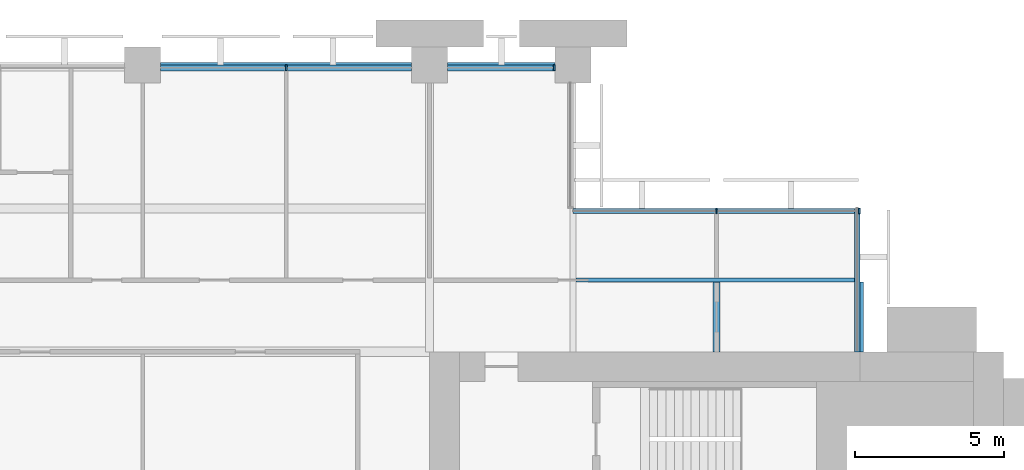
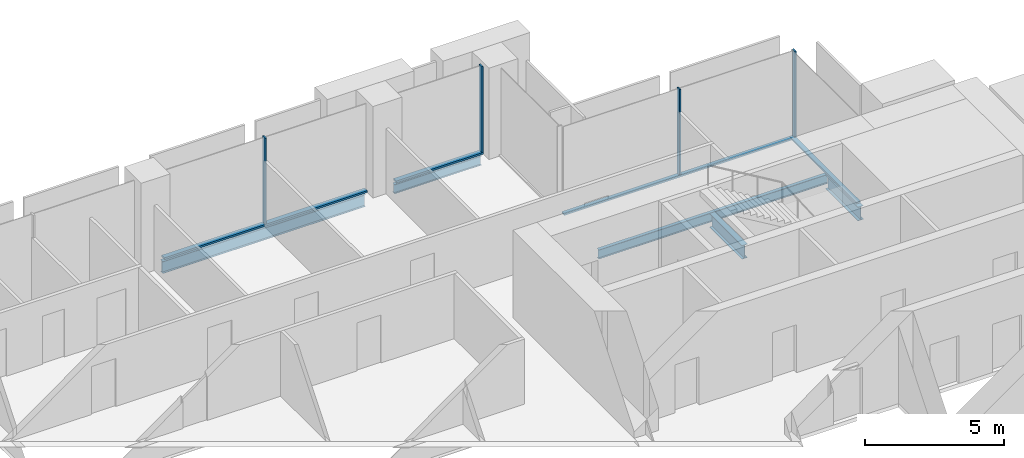
# One storey, part 7 of 14: 8 members, 5 beams, 3 elements without a shape of their own.
"""IFC4 building model written with IfcOpenShell, lengths in metres."""

import ifcopenshell
import ifcopenshell.guid

model = None  # the IFC model being written
_history = None  # IfcOwnerHistory: only IFC2X3 demands one
_inside = {}  # id of a spatial element -> (the spatial element, [elements in it])
_under = {}  # id of a project, library or spatial element -> (it, [spatial elements below it])
_declared = {}  # id of a project -> (the project, [libraries it declares])
_typed = {}  # id of a type object -> (the type object, [elements of that type])
_made_of = {}  # id of a material, layer set ... -> (it, [elements and type objects made of it])


def new_model(schema):
    """Start an empty IFC model of exactly this schema.

    Asked for "IFC4X3", IfcOpenShell would pick the latest addendum, in which some entities
    have other attributes; the version numbers below select the first issue.
    IFC2X3 requires an IfcOwnerHistory on every rooted entity: one is made here for all.
    """
    global model, _history
    if schema == "IFC4X3":
        model = ifcopenshell.file(schema_version=(4, 3, 0, 0))
    else:
        model = ifcopenshell.file(schema=schema)
    _inside.clear()
    _under.clear()
    _declared.clear()
    _typed.clear()
    _made_of.clear()
    _history = None
    if model.schema == "IFC2X3":
        org = make("IfcOrganization", Name="unknown")
        user = make(
            "IfcPersonAndOrganization",
            ThePerson=make("IfcPerson", FamilyName="unknown"),
            TheOrganization=org,
        )
        app = make(
            "IfcApplication",
            ApplicationDeveloper=org,
            Version="unknown",
            ApplicationFullName="unknown",
            ApplicationIdentifier="unknown",
        )
        _history = make(
            "IfcOwnerHistory",
            OwningUser=user,
            OwningApplication=app,
            ChangeAction="ADDED",
            CreationDate=0,
        )
    return model


def make(cls, **values):
    """One entity of the class cls with the attributes given. An attribute that is None is left unset."""
    return model.create_entity(
        cls, **{name: value for name, value in values.items() if value is not None}
    )


def rooted(cls, **values):
    """An entity with a GlobalId (a new one), such as an element, a storey or a relation."""
    return make(cls, GlobalId=ifcopenshell.guid.new(), OwnerHistory=_history, **values)


def si_unit(unit_type, name, prefix=None):
    """IfcSIUnit, for example si_unit("LENGTHUNIT", "METRE", prefix="MILLI")."""
    return make("IfcSIUnit", UnitType=unit_type, Prefix=prefix, Name=name)


def assignment(units):
    """IfcUnitAssignment: the units of a project."""
    return None if units is None else make("IfcUnitAssignment", Units=units)


def point(xyz):
    """IfcCartesianPoint."""
    return None if xyz is None else make("IfcCartesianPoint", Coordinates=xyz)


def direction(xyz):
    """IfcDirection."""
    return None if xyz is None else make("IfcDirection", DirectionRatios=xyz)


def frame(location, z_axis=None, x_axis=None):
    """IfcAxis2Placement3D, a coordinate frame: its origin and axes. An axis left out is left unset."""
    return make(
        "IfcAxis2Placement3D",
        Location=point(location),
        Axis=direction(z_axis),
        RefDirection=direction(x_axis),
    )


def frame_2d(location, x_axis=None):
    """IfcAxis2Placement2D, a coordinate frame in the plane: its origin and x axis."""
    return make(
        "IfcAxis2Placement2D", Location=point(location), RefDirection=direction(x_axis)
    )


def origin():
    """The frame at (0, 0, 0) with its axes left unset."""
    return frame((0.0, 0.0, 0.0))


def origin_2d():
    """The frame at (0, 0) in the plane with its x axis left unset."""
    return frame_2d((0.0, 0.0))


def place(relative_to, where):
    """IfcLocalPlacement: puts the frame where relative to a parent placement (None: the world)."""
    return make(
        "IfcLocalPlacement", PlacementRelTo=relative_to, RelativePlacement=where
    )


def context(
    kind, dimensions, precision=None, world=None, true_north=None, identifier=None
):
    """IfcGeometricRepresentationContext, for example the 3D "Model" context."""
    return make(
        "IfcGeometricRepresentationContext",
        ContextIdentifier=identifier,
        ContextType=kind,
        CoordinateSpaceDimension=dimensions,
        Precision=precision,
        WorldCoordinateSystem=world,
        TrueNorth=true_north,
    )


def subcontext(parent, identifier, kind, view, scale=None):
    """IfcGeometricRepresentationSubContext, for example "Body" below "Model"."""
    return make(
        "IfcGeometricRepresentationSubContext",
        ContextIdentifier=identifier,
        ContextType=kind,
        ParentContext=parent,
        TargetScale=scale,
        TargetView=view,
    )


def project(units=None, contexts=None):
    """IfcProject with its units and contexts."""
    return rooted(
        "IfcProject",
        Name="project",
        RepresentationContexts=contexts,
        UnitsInContext=assignment(units),
    )


def spatial(cls, under=None, at=None, **own):
    """A site, building, storey or space (cls), placed at a placement, below another one or the project."""
    s = rooted(cls, ObjectPlacement=at, **own)
    if under is not None:
        _under.setdefault(under.id(), (under, []))[1].append(s)
    return s


def profile(cls, at=None, kind="AREA", **sizes):
    """A parametric profile (cls). Its sizes go by their IFC names, for example OverallWidth=200.0."""
    return make(cls, ProfileType=kind, Position=at, **sizes)


def rectangle(**sizes):
    """IfcRectangleProfileDef."""
    return profile("IfcRectangleProfileDef", **sizes)


def i_section(**sizes):
    """IfcIShapeProfileDef."""
    return profile("IfcIShapeProfileDef", **sizes)


def extrude(swept, where, along, depth):
    """IfcExtrudedAreaSolid: the profile swept, set in the frame where, extruded along a direction by depth."""
    return make(
        "IfcExtrudedAreaSolid",
        SweptArea=swept,
        Position=where,
        ExtrudedDirection=direction(along),
        Depth=depth,
    )


def shape(context_of_items, identifier, shape_type, items):
    """IfcShapeRepresentation: the items that make up one representation, for example the "Body"."""
    return make(
        "IfcShapeRepresentation",
        ContextOfItems=context_of_items,
        RepresentationIdentifier=identifier,
        RepresentationType=shape_type,
        Items=items,
    )


def material(Name=None, Category=None):
    """IfcMaterial."""
    return make("IfcMaterial", Name=Name, Category=Category)


def material_profile(
    of_material, cross_section, Name=None, Category=None, Priority=None
):
    """IfcMaterialProfile: a cross section and its material."""
    return make(
        "IfcMaterialProfile",
        Name=Name,
        Material=of_material,
        Profile=cross_section,
        Priority=Priority,
        Category=Category,
    )


def profile_set(profiles, Name=None, composite=None):
    """IfcMaterialProfileSet."""
    return make(
        "IfcMaterialProfileSet",
        Name=Name,
        MaterialProfiles=profiles,
        CompositeProfile=composite,
    )


def made_of(thing, what):
    """Note that an element or type object is made of a material, layer set ...; save() writes the relation."""
    if what is not None:
        _made_of.setdefault(what.id(), (what, []))[1].append(thing)
    return thing


def type_object(cls, material=None, **own):
    """A type object (cls), such as IfcWallType, which elements share."""
    return made_of(rooted(cls, **own), material)


def element(
    cls,
    number,
    at=None,
    inside=None,
    cuts=None,
    type_object=None,
    material=None,
    context=None,
    identifier="Body",
    shape_type=None,
    held_by="IfcProductDefinitionShape",
    body=None,
    shapes=None,
    **own,
):
    """One element of the class cls, such as IfcWall. Its Tag is "e" and its number.

    at: its placement. inside: the storey or other place that contains it. cuts: it is an
    opening in that element (IfcRelVoidsElement). A single representation is given by context,
    identifier, shape_type and body (its items); several are given by shapes. held_by: the class
    of the entity that holds the representations. save() writes the other relations.
    """
    e = rooted(cls, Tag="e%d" % number, ObjectPlacement=at, **own)
    if body is not None:
        shapes = [shape(context, identifier, shape_type, body)]
    if shapes is not None:
        e.Representation = make(held_by, Representations=shapes)
    if inside is not None:
        _inside.setdefault(inside.id(), (inside, []))[1].append(e)
    if cuts is not None:
        rooted(
            "IfcRelVoidsElement", RelatingBuildingElement=cuts, RelatedOpeningElement=e
        )
    if type_object is not None:
        _typed.setdefault(type_object.id(), (type_object, []))[1].append(e)
    return made_of(e, material)


def aggregate(whole, parts):
    """IfcRelAggregates: a whole, such as a stair, and the parts it consists of."""
    return rooted("IfcRelAggregates", RelatingObject=whole, RelatedObjects=parts)


def save(model, path):
    """Write the relations noted so far, then the file.

    IfcRelAggregates (storeys below a building ...), IfcRelContainedInSpatialStructure (elements
    in a storey), IfcRelDefinesByType, IfcRelAssociatesMaterial and IfcRelDeclares: one each for
    every whole, place, type object, material and project.
    """
    for whole, parts in _under.values():
        aggregate(whole, parts)
    for where, things in _inside.values():
        rooted(
            "IfcRelContainedInSpatialStructure",
            RelatedElements=things,
            RelatingStructure=where,
        )
    for kind, things in _typed.values():
        rooted("IfcRelDefinesByType", RelatedObjects=things, RelatingType=kind)
    for what, things in _made_of.values():
        rooted("IfcRelAssociatesMaterial", RelatedObjects=things, RelatingMaterial=what)
    for by, libraries in _declared.values():
        rooted("IfcRelDeclares", RelatingContext=by, RelatedDefinitions=libraries)
    model.write(path)


model = new_model("IFC4")

# Units and contexts
model_context = context("Model", 3, precision=1e-05, world=origin(), true_north=direction((0.0, 1.0)))
body_context = subcontext(model_context, "Body", "Model", "MODEL_VIEW")
ifc_project = project(units=[si_unit("LENGTHUNIT", "METRE"), si_unit("AREAUNIT", "SQUARE_METRE"), si_unit("VOLUMEUNIT", "CUBIC_METRE"), si_unit("PLANEANGLEUNIT", "RADIAN"), si_unit("MASSUNIT", "GRAM", prefix="KILO")], contexts=[model_context])

# Site, building, storey
site_placement = place(None, origin())
site = spatial("IfcSite", under=ifc_project, at=site_placement, CompositionType="ELEMENT")
building_placement = place(site_placement, origin())
building = spatial("IfcBuilding", under=site, at=building_placement, Name="Baori Bourse Tower", CompositionType="ELEMENT")
storey_placement = place(building_placement, frame((0.0, 0.0, 136.10009765625)))
storey = spatial("IfcBuildingStorey", under=building, at=storey_placement, Name="L29", CompositionType="ELEMENT", Elevation=136.10009765625)

# Curtain wall, members
ifc_material_1 = material(Name="Pale anodised aluminium", Category="aluminium")
curtain_wall_type_1 = type_object("IfcCurtainWallType", Name="CW1 Curtain wall", PredefinedType="NOTDEFINED", material=ifc_material_1)
curtain_wall_1_placement = place(storey_placement, origin())
curtain_wall_1 = element("IfcCurtainWall", 1, at=curtain_wall_1_placement, inside=storey, type_object=curtain_wall_type_1, Name="Curtain wall CW1 L29 4", PredefinedType="NOTDEFINED")
ifc_material_2 = material(Name="Pale anodised aluminium", Category="aluminium")
ifc_material_profile_1 = material_profile(ifc_material_2, rectangle(XDim=0.199951171875, YDim=0.06005859375, at=origin_2d()), Name="Mullion 60x200")
ifc_profile_set_1 = profile_set([ifc_material_profile_1], Name="Pale anodised aluminium")
member_type_1 = type_object("IfcMemberType", Name="CW1 Curtain wall mullion", PredefinedType="MULLION", material=ifc_profile_set_1)
member_1_placement = place(storey_placement, frame((42.570068359375, 47.89990234375, 0.079833984375), z_axis=(0.0, 0.0, 1.0), x_axis=(0.0, -1.0, 0.0)))
member_1 = element("IfcMember", 2, at=member_1_placement, type_object=member_type_1, Name="Curtain wall CW1 mullion", PredefinedType="MULLION", context=body_context, shape_type="SweptSolid", body=[
    extrude(rectangle(XDim=0.199951171875, YDim=0.06005859375, at=origin_2d()), origin(), (0.0, 0.0, 1.0), 3.760009765625),
])
member_2_placement = place(storey_placement, frame((33.60009765625, 47.89990234375, 0.079833984375), z_axis=(0.0, 0.0, 1.0), x_axis=(0.0, -1.0, 0.0)))
member_2 = element("IfcMember", 3, at=member_2_placement, type_object=member_type_1, Name="Curtain wall CW1 mullion", PredefinedType="MULLION", context=body_context, shape_type="SweptSolid", body=[
    extrude(rectangle(XDim=0.199951171875, YDim=0.06005859375, at=origin_2d()), origin(), (0.0, 0.0, 1.0), 3.760009765625),
])
ifc_material_3 = material(Name="Pale anodised aluminium", Category="aluminium")
ifc_material_profile_2 = material_profile(ifc_material_3, rectangle(XDim=0.199951171875, YDim=0.080078125, at=origin_2d()), Name="Transom 80x200")
ifc_profile_set_2 = profile_set([ifc_material_profile_2], Name="Pale anodised aluminium")
member_type_2 = type_object("IfcMemberType", Name="CW1 Curtain wall transom", PredefinedType="USERDEFINED", material=ifc_profile_set_2)
member_3_placement = place(storey_placement, frame((42.60009765625, 47.89990234375, 0.039794921875), z_axis=(-1.0, 0.0, 0.0), x_axis=(0.0, -1.0, 0.0)))
member_3 = element("IfcMember", 4, at=member_3_placement, type_object=member_type_2, Name="Curtain wall CW1 sill rail", ObjectType="TRANSOM", PredefinedType="USERDEFINED", context=body_context, shape_type="SweptSolid", body=[
    extrude(rectangle(XDim=0.199951171875, YDim=0.080078125, at=origin_2d()), origin(), (0.0, 0.0, 1.0), 3.60009765625),
])
member_4_placement = place(storey_placement, frame((37.800048828125, 47.89990234375, 0.039794921875), z_axis=(-1.0, 0.0, 0.0), x_axis=(0.0, -1.0, 0.0)))
member_4 = element("IfcMember", 5, at=member_4_placement, type_object=member_type_2, Name="Curtain wall CW1 sill rail", ObjectType="TRANSOM", PredefinedType="USERDEFINED", context=body_context, shape_type="SweptSolid", body=[
    extrude(rectangle(XDim=0.199951171875, YDim=0.080078125, at=origin_2d()), origin(), (0.0, 0.0, 1.0), 8.400146484375),
])
aggregate(curtain_wall_1, [member_3, member_1, member_4, member_2])

ifc_material_4 = material(Name="Pale anodised aluminium", Category="aluminium")
curtain_wall_type_2 = type_object("IfcCurtainWallType", Name="CW2 Curtain wall", PredefinedType="NOTDEFINED", material=ifc_material_4)
curtain_wall_2_placement = place(storey_placement, origin())
curtain_wall_2 = element("IfcCurtainWall", 6, at=curtain_wall_2_placement, inside=storey, type_object=curtain_wall_type_2, Name="Curtain wall CW2 L29 2", PredefinedType="NOTDEFINED")
ifc_material_5 = material(Name="Pale anodised aluminium", Category="aluminium")
ifc_material_profile_3 = material_profile(ifc_material_5, rectangle(XDim=0.179931640625, YDim=0.054931640625, at=origin_2d()), Name="Mullion 55x180")
ifc_profile_set_3 = profile_set([ifc_material_profile_3], Name="Pale anodised aluminium")
member_type_3 = type_object("IfcMemberType", Name="CW2 Curtain wall mullion", PredefinedType="MULLION", material=ifc_profile_set_3)
member_5_placement = place(storey_placement, frame((52.7724609375, 43.110107421875, 0.06982421875), z_axis=(0.0, 0.0, 1.0), x_axis=(0.0, -1.0, 0.0)))
member_5 = element("IfcMember", 7, at=member_5_placement, type_object=member_type_3, Name="Curtain wall CW2 mullion", PredefinedType="MULLION", context=body_context, shape_type="SweptSolid", body=[
    extrude(rectangle(XDim=0.179931640625, YDim=0.054931640625, at=origin_2d()), origin(), (0.0, 0.0, 1.0), 3.77001953125),
])
member_6_placement = place(storey_placement, frame((48.0, 43.110107421875, 0.06982421875), z_axis=(0.0, 0.0, 1.0), x_axis=(0.0, -1.0, 0.0)))
member_6 = element("IfcMember", 8, at=member_6_placement, type_object=member_type_3, Name="Curtain wall CW2 mullion", PredefinedType="MULLION", context=body_context, shape_type="SweptSolid", body=[
    extrude(rectangle(XDim=0.179931640625, YDim=0.054931640625, at=origin_2d()), origin(), (0.0, 0.0, 1.0), 3.77001953125),
])

# Curtain wall, member
curtain_wall_3_placement = place(storey_placement, origin())
curtain_wall_3 = element("IfcCurtainWall", 9, at=curtain_wall_3_placement, inside=storey, type_object=curtain_wall_type_2, Name="Curtain wall CW2 L29 1", PredefinedType="NOTDEFINED")
ifc_material_6 = material(Name="Pale anodised aluminium", Category="aluminium")
ifc_material_profile_4 = material_profile(ifc_material_6, rectangle(XDim=0.179931640625, YDim=0.070068359375, at=origin_2d()), Name="Transom 70x180")
ifc_profile_set_4 = profile_set([ifc_material_profile_4], Name="Pale anodised aluminium")
member_type_4 = type_object("IfcMemberType", Name="CW2 Curtain wall transom", PredefinedType="USERDEFINED", material=ifc_profile_set_4)
member_7_placement = place(storey_placement, frame((52.7099609375, 38.39990234375, 0.034912109375), z_axis=(0.0, 1.0, 0.0), x_axis=(-1.0, 0.0, 0.0)))
member_7 = element("IfcMember", 10, at=member_7_placement, type_object=member_type_4, Name="Curtain wall CW2 sill rail", ObjectType="TRANSOM", PredefinedType="USERDEFINED", context=body_context, shape_type="SweptSolid", body=[
    extrude(rectangle(XDim=0.179931640625, YDim=0.070068359375, at=origin_2d()), origin(), (0.0, 0.0, 1.0), 4.800048828125),
])
aggregate(curtain_wall_3, [member_7])

# Member
member_8_placement = place(storey_placement, frame((52.800048828125, 43.110107421875, 0.034912109375), z_axis=(-1.0, 0.0, 0.0), x_axis=(0.0, -1.0, 0.0)))
member_8 = element("IfcMember", 11, at=member_8_placement, type_object=member_type_4, Name="Curtain wall CW2 sill rail", ObjectType="TRANSOM", PredefinedType="USERDEFINED", context=body_context, shape_type="SweptSolid", body=[
    extrude(rectangle(XDim=0.179931640625, YDim=0.070068359375, at=origin_2d()), origin(), (0.0, 0.0, 1.0), 9.60009765625),
])

aggregate(curtain_wall_2, [member_8, member_5, member_6])

# Beams
ifc_material_7 = material(Name="Steel A992 Gr 50", Category="steel")
ifc_material_profile_5 = material_profile(ifc_material_7, i_section(OverallWidth=0.227783203125, OverallDepth=0.60205078125, WebThickness=0.010498046875, FlangeThickness=0.014892578125, at=origin_2d()), Name="W24x68")
ifc_profile_set_5 = profile_set([ifc_material_profile_5], Name="Steel A992 Gr 50")
beam_type_1 = type_object("IfcBeamType", Name="Core bracket W24x68", PredefinedType="BEAM", material=ifc_profile_set_5)
for number, where, z_axis, x_axis, name in (
    (12, (48.0, 38.39990234375, -0.461181640625), (0.0, 1.0, 0.0), (-1.0, 0.0, 0.0), "Core bracket L29"),
    (13, (52.800048828125, 38.39990234375, -0.461181640625), (0.0, 1.0, 0.0), (-1.0, 0.0, 0.0), "Core bracket L29"),
):
    element("IfcBeam", number, at=place(storey_placement, frame(where, z_axis=z_axis, x_axis=x_axis)), inside=storey, type_object=beam_type_1, Name=name, PredefinedType="BEAM", context=body_context, shape_type="SweptSolid", body=[
        extrude(i_section(OverallWidth=0.227783203125, OverallDepth=0.60205078125, WebThickness=0.010498046875, FlangeThickness=0.014892578125, at=origin_2d()), origin(), (0.0, 0.0, 1.0), 2.329833984375),
    ])
ifc_material_8 = material(Name="Steel A992 Gr 50", Category="steel")
ifc_material_profile_6 = material_profile(ifc_material_8, i_section(OverallWidth=0.140380859375, OverallDepth=0.40380859375, WebThickness=0.007080078125, FlangeThickness=0.01123046875, at=origin_2d()), Name="W16x31")
ifc_profile_set_6 = profile_set([ifc_material_profile_6], Name="Steel A992 Gr 50")
beam_type_2 = type_object("IfcBeamType", Name="Edge beam W16x31", PredefinedType="BEAM", material=ifc_profile_set_6)
beam_1_placement = place(storey_placement, frame((39.0, 48.0, -0.362060546875), z_axis=(1.0, 0.0, 0.0), x_axis=(0.0, 1.0, 0.0)))
element("IfcBeam", 14, at=beam_1_placement, inside=storey, type_object=beam_type_2, Name="Edge beam L29", PredefinedType="BEAM", context=body_context, shape_type="SweptSolid", body=[
    extrude(i_section(OverallWidth=0.140380859375, OverallDepth=0.40380859375, WebThickness=0.007080078125, FlangeThickness=0.01123046875, at=origin_2d()), origin(), (0.0, 0.0, 1.0), 3.60009765625),
])
ifc_material_9 = material(Name="Steel A992 Gr 50", Category="steel")
ifc_material_profile_7 = material_profile(ifc_material_9, i_section(OverallWidth=0.1650390625, OverallDepth=0.52587890625, WebThickness=0.0087890625, FlangeThickness=0.011474609375, at=origin_2d()), Name="W21x44")
ifc_profile_set_7 = profile_set([ifc_material_profile_7], Name="Steel A992 Gr 50")
beam_type_3 = type_object("IfcBeamType", Name="Edge beam W21x44", PredefinedType="BEAM", material=ifc_profile_set_7)
beam_2_placement = place(storey_placement, frame((29.39990234375, 48.0, -0.423095703125), z_axis=(1.0, 0.0, 0.0), x_axis=(0.0, 1.0, 0.0)))
element("IfcBeam", 15, at=beam_2_placement, inside=storey, type_object=beam_type_3, Name="Edge beam L29", PredefinedType="BEAM", context=body_context, shape_type="SweptSolid", body=[
    extrude(i_section(OverallWidth=0.1650390625, OverallDepth=0.52587890625, WebThickness=0.0087890625, FlangeThickness=0.011474609375, at=origin_2d()), origin(), (0.0, 0.0, 1.0), 8.400146484375),
])
ifc_material_10 = material(Name="Steel A992 Gr 50", Category="steel")
ifc_material_profile_8 = material_profile(ifc_material_10, i_section(OverallWidth=0.140380859375, OverallDepth=0.40380859375, WebThickness=0.007080078125, FlangeThickness=0.01123046875, at=origin_2d()), Name="W16x31")
ifc_profile_set_8 = profile_set([ifc_material_profile_8], Name="Steel A992 Gr 50")
beam_type_4 = type_object("IfcBeamType", Name="Trimmer beam W16x31", PredefinedType="BEAM", material=ifc_profile_set_8)
beam_3_placement = place(storey_placement, frame((43.30615234375, 40.800048828125, -0.362060546875), z_axis=(1.0, 0.0, 0.0), x_axis=(0.0, 1.0, 0.0)))
element("IfcBeam", 16, at=beam_3_placement, inside=storey, type_object=beam_type_4, Name="Trimmer beam L29", PredefinedType="BEAM", context=body_context, shape_type="SweptSolid", body=[
    extrude(i_section(OverallWidth=0.140380859375, OverallDepth=0.40380859375, WebThickness=0.007080078125, FlangeThickness=0.01123046875, at=origin_2d()), origin(), (0.0, 0.0, 1.0), 9.493896484375),
])

save(model, "model.ifc")
